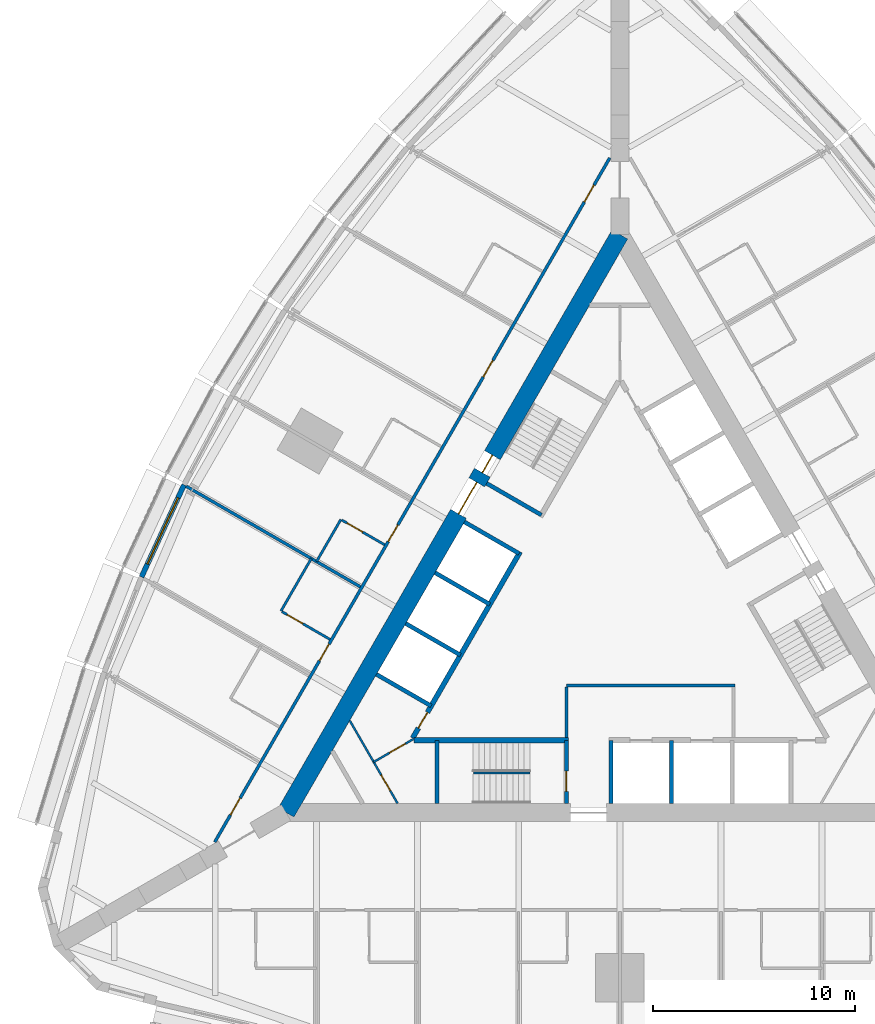
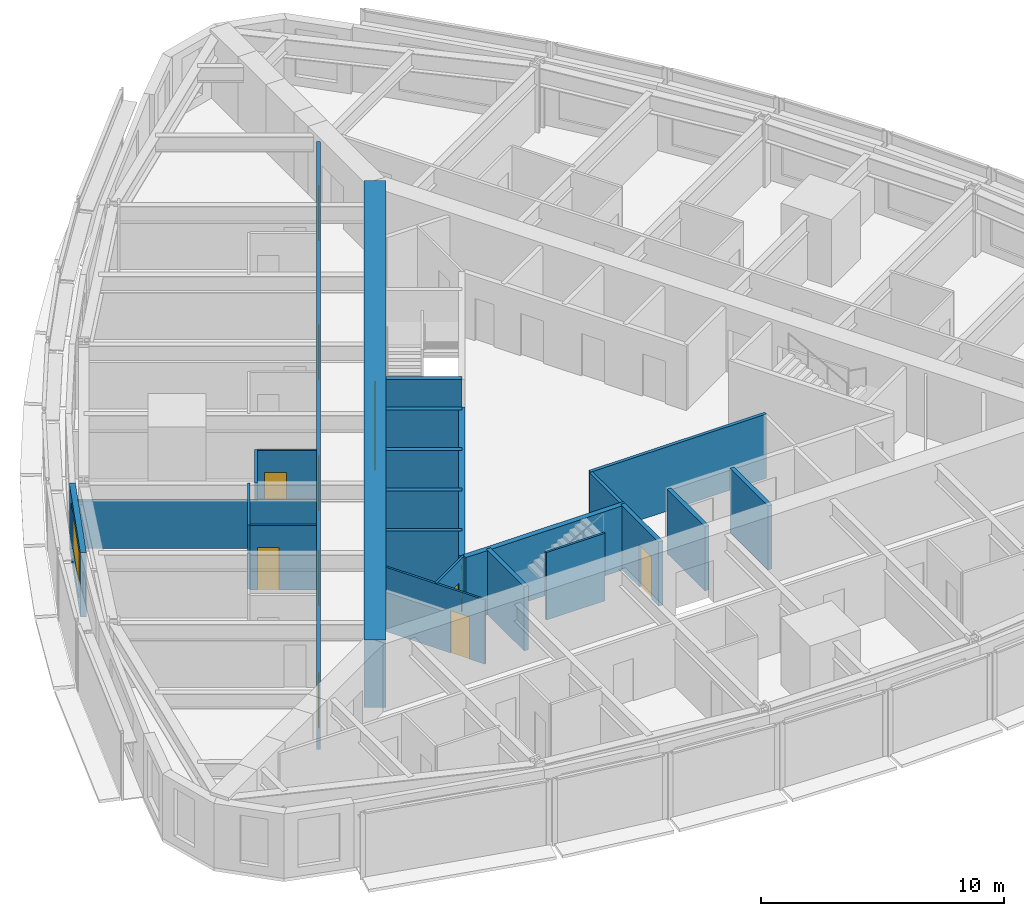
# One storey, part 9 of 14: 24 walls, 13 doors, 1 window, 14 openings.
"""IFC4 building model written with IfcOpenShell, lengths in metres."""

from ifc_helpers import new_model, si_unit, direction, frame, frame_2d, origin, place, context, subcontext, project, spatial, rectangle, extrude, material, layer, layer_set, type_object, element, fill, save


model = new_model("IFC4")

# Units and contexts
model_context = context("Model", 3, precision=1e-05, world=origin(), true_north=direction((0.0, 1.0)))
body_context = subcontext(model_context, "Body", "Model", "MODEL_VIEW")
ifc_project = project(units=[si_unit("LENGTHUNIT", "METRE"), si_unit("AREAUNIT", "SQUARE_METRE"), si_unit("VOLUMEUNIT", "CUBIC_METRE"), si_unit("PLANEANGLEUNIT", "RADIAN"), si_unit("MASSUNIT", "GRAM", prefix="KILO")], contexts=[model_context])

# Site, building, storey
site_placement = place(None, origin())
site = spatial("IfcSite", under=ifc_project, at=site_placement, CompositionType="ELEMENT")
building_placement = place(site_placement, origin())
building = spatial("IfcBuilding", under=site, at=building_placement, Name="Trikona Tower", CompositionType="ELEMENT")
storey_placement = place(building_placement, frame((0.0, 0.0, 72.699951171875)))
storey = spatial("IfcBuildingStorey", under=building, at=storey_placement, Name="L18", CompositionType="ELEMENT", Elevation=72.699951171875)

# Wall
ifc_material_1 = material(Name="Metal stud and cement board", Category="gypsum")
ifc_layer_1 = layer(ifc_material_1, 0.1201171875)
ifc_layer_set_1 = layer_set([ifc_layer_1], Name="Bathroom wall 120")
wall_type_1 = type_object("IfcWallType", Name="Bathroom wall 120", PredefinedType="PLUMBINGWALL", material=ifc_layer_set_1)
wall_1_placement = place(storey_placement, frame((-13.79345703125, 4.96142578125, 0.0), z_axis=(0.0, 0.0, 1.0), x_axis=(-0.500001309137, -0.866024647952, 0.0)))
element("IfcWall", 1, at=wall_1_placement, inside=storey, type_object=wall_type_1, Name="Bathroom wall 1814", PredefinedType="PLUMBINGWALL", context=body_context, shape_type="SweptSolid", body=[
    extrude(rectangle(XDim=2.39990234375, YDim=0.1201171875, at=frame_2d((1.199951171875, 0.0))), origin(), (0.0, 0.0, 1.0), 3.235107421875),
])

# Wall, opening, door
wall_2_placement = place(storey_placement, frame((-11.62841796875, 3.71142578125, 0.0), z_axis=(0.0, 0.0, 1.0), x_axis=(-0.866048967903, 0.499959183527, 0.0)))
wall_2 = element("IfcWall", 2, at=wall_2_placement, inside=storey, type_object=wall_type_1, Name="Bathroom wall 1814", PredefinedType="PLUMBINGWALL", context=body_context, shape_type="SweptSolid", body=[
    extrude(rectangle(XDim=2.440185546875, YDim=0.1201171875, at=frame_2d((1.22021484375, 0.0))), origin(), (0.0, 0.0, 1.0), 3.235107421875),
])
opening_1_placement = place(wall_2_placement, frame((1.25, 0.0, 0.0)))
opening_1 = element("IfcOpeningElement", 3, at=opening_1_placement, cuts=wall_2, Name="Opening D2", PredefinedType="OPENING", context=body_context, shape_type="SweptSolid", body=[
    extrude(rectangle(XDim=0.89990234375, YDim=2.1298828125, at=frame_2d((0.449951171875, 1.06494140625))), frame((0.0, 0.070068359375, 0.0), z_axis=(0.0, -1.0, 0.0), x_axis=(1.0, 0.0, 0.0)), (0.0, 0.0, 1.0), 0.14013671875),
])
ifc_material_2 = material(Name="Steel door frame with solid-core timber leaf", Category="steel")
door_type_1 = type_object("IfcDoorType", Name="Bathroom door 900x2130", OperationType="SLIDING_TO_LEFT", PredefinedType="DOOR", material=ifc_material_2)
door_1_placement = place(opening_1_placement, origin())
door_1 = element("IfcDoor", 4, at=door_1_placement, inside=storey, type_object=door_type_1, Name="Bathroom door 1814", OperationType="SLIDING_TO_LEFT", OverallHeight=2.1298828125, OverallWidth=0.89990234375, PredefinedType="DOOR", context=body_context, shape_type="SweptSolid", body=[
    extrude(rectangle(XDim=0.89990234375, YDim=2.1298828125, at=frame_2d((0.449951171875, 1.06494140625))), frame((0.0, 0.02490234375, 0.0), z_axis=(0.0, -1.0, 0.0), x_axis=(1.0, 0.0, 0.0)), (0.0, 0.0, 1.0), 0.050048828125),
])
fill(opening_1, door_1)

# Wall
wall_3_placement = place(storey_placement, frame((-15.25341796875, 3.032958984375, 0.0), z_axis=(0.0, 0.0, 1.0), x_axis=(-0.499990139034, -0.866031096941, 0.0)))
element("IfcWall", 5, at=wall_3_placement, inside=storey, type_object=wall_type_1, Name="Bathroom wall 1815", PredefinedType="PLUMBINGWALL", context=body_context, shape_type="SweptSolid", body=[
    extrude(rectangle(XDim=3.0, YDim=0.1201171875, at=frame_2d((1.5, 0.0))), origin(), (0.0, 0.0, 1.0), 3.235107421875),
])

# Wall, opening, door
wall_4_placement = place(storey_placement, frame((-14.32861328125, -0.965087890625, 0.0), z_axis=(0.0, 0.0, 1.0), x_axis=(-0.866035715982, 0.499982138324, 0.0)))
wall_4 = element("IfcWall", 6, at=wall_4_placement, inside=storey, type_object=wall_type_1, Name="Bathroom wall 1815", PredefinedType="PLUMBINGWALL", context=body_context, shape_type="SweptSolid", body=[
    extrude(rectangle(XDim=2.73974609375, YDim=0.1201171875, at=frame_2d((1.369873046875, 0.0))), origin(), (0.0, 0.0, 1.0), 3.235107421875),
])
opening_2_placement = place(wall_4_placement, frame((1.550048828125, 0.0, 0.0)))
opening_2 = element("IfcOpeningElement", 7, at=opening_2_placement, cuts=wall_4, Name="Opening D2", PredefinedType="OPENING", context=body_context, shape_type="SweptSolid", body=[
    extrude(rectangle(XDim=0.89990234375, YDim=2.1298828125, at=frame_2d((0.449951171875, 1.06494140625))), frame((0.0, 0.070068359375, 0.0), z_axis=(0.0, -1.0, 0.0), x_axis=(1.0, 0.0, 0.0)), (0.0, 0.0, 1.0), 0.14013671875),
])
door_2_placement = place(opening_2_placement, origin())
door_2 = element("IfcDoor", 8, at=door_2_placement, inside=storey, type_object=door_type_1, Name="Bathroom door 1815", OperationType="SLIDING_TO_LEFT", OverallHeight=2.1298828125, OverallWidth=0.89990234375, PredefinedType="DOOR", context=body_context, shape_type="SweptSolid", body=[
    extrude(rectangle(XDim=0.89990234375, YDim=2.1298828125, at=frame_2d((0.449951171875, 1.06494140625))), frame((0.0, 0.02490234375, 0.0), z_axis=(0.0, -1.0, 0.0), x_axis=(1.0, 0.0, 0.0)), (0.0, 0.0, 1.0), 0.050048828125),
])
fill(opening_2, door_2)

# Wall, openings, doors
ifc_material_3 = material(Name="Concrete f'c 10000 psi", Category="concrete")
ifc_layer_2 = layer(ifc_material_3, 0.89990234375)
ifc_layer_set_2 = layer_set([ifc_layer_2], Name="Core wall 900")
wall_type_2 = type_object("IfcWallType", Name="Core wall 900", PredefinedType="SHEAR", material=ifc_layer_set_2)
wall_5_placement = place(storey_placement, frame((0.0, 19.052490234375, 0.0), z_axis=(0.0, 0.0, 1.0), x_axis=(-0.499999749417, -0.866025548458, 0.0)))
wall_5 = element("IfcWall", 9, at=wall_5_placement, inside=storey, type_object=wall_type_2, Name="Core wall C", PredefinedType="SHEAR", context=body_context, shape_type="SweptSolid", body=[
    extrude(rectangle(XDim=33.0, YDim=0.89990234375, at=frame_2d((16.5, 0.0))), origin(), (0.0, 0.0, 1.0), 3.400146484375),
])
opening_3_placement = place(wall_5_placement, frame((14.14990234375, 0.0, 0.0)))
opening_3 = element("IfcOpeningElement", 10, at=opening_3_placement, cuts=wall_5, Name="Opening D6", PredefinedType="OPENING", context=body_context, shape_type="SweptSolid", body=[
    extrude(rectangle(XDim=1.800048828125, YDim=2.1298828125, at=frame_2d((0.89990234375, 1.06494140625))), frame((0.0, 0.4599609375, 0.0), z_axis=(0.0, -1.0, 0.0), x_axis=(1.0, 0.0, 0.0)), (0.0, 0.0, 1.0), 0.919921875),
])
opening_4_placement = place(wall_5_placement, frame((12.60009765625, 0.0, 0.0)))
opening_4 = element("IfcOpeningElement", 11, at=opening_4_placement, cuts=wall_5, Name="Opening D5", PredefinedType="OPENING", context=body_context, shape_type="SweptSolid", body=[
    extrude(rectangle(XDim=1.0, YDim=2.1298828125, at=frame_2d((0.5, 1.06494140625))), frame((0.0, 0.4599609375, 0.0), z_axis=(0.0, -1.0, 0.0), x_axis=(1.0, 0.0, 0.0)), (0.0, 0.0, 1.0), 0.919921875),
])
ifc_material_4 = material(Name="Hollow metal door and frame", Category="steel")
door_type_2 = type_object("IfcDoorType", Name="Lobby door pair 1800x2130", OperationType="DOUBLE_DOOR_SINGLE_SWING", PredefinedType="DOOR", material=ifc_material_4)
door_3_placement = place(opening_3_placement, origin())
door_3 = element("IfcDoor", 12, at=door_3_placement, inside=storey, type_object=door_type_2, Name="Lift lobby door C", OperationType="DOUBLE_DOOR_SINGLE_SWING", OverallHeight=2.1298828125, OverallWidth=1.800048828125, PredefinedType="DOOR", context=body_context, shape_type="SweptSolid", body=[
    extrude(rectangle(XDim=1.800048828125, YDim=2.1298828125, at=frame_2d((0.89990234375, 1.06494140625))), frame((0.0, 0.02490234375, 0.0), z_axis=(0.0, -1.0, 0.0), x_axis=(1.0, 0.0, 0.0)), (0.0, 0.0, 1.0), 0.050048828125),
])
fill(opening_3, door_3)
ifc_material_5 = material(Name="Hollow metal door and frame", Category="steel")
door_type_3 = type_object("IfcDoorType", Name="Stair door 1000x2130", OperationType="SINGLE_SWING_LEFT", PredefinedType="DOOR", material=ifc_material_5)
door_4_placement = place(opening_4_placement, origin())
door_4 = element("IfcDoor", 13, at=door_4_placement, inside=storey, type_object=door_type_3, Name="Stair C door", OperationType="SINGLE_SWING_RIGHT", OverallHeight=2.1298828125, OverallWidth=1.0, PredefinedType="DOOR", context=body_context, shape_type="SweptSolid", body=[
    extrude(rectangle(XDim=1.0, YDim=2.1298828125, at=frame_2d((0.5, 1.06494140625))), frame((0.0, 0.02490234375, 0.0), z_axis=(0.0, -1.0, 0.0), x_axis=(1.0, 0.0, 0.0)), (0.0, 0.0, 1.0), 0.050048828125),
])
fill(opening_4, door_4)

ifc_material_6 = material(Name="Metal stud and gypsum board, 1-hour", Category="gypsum")
ifc_layer_3 = layer(ifc_material_6, 0.14990234375)
ifc_layer_set_3 = layer_set([ifc_layer_3], Name="Corridor wall 150")
wall_type_3 = type_object("IfcWallType", Name="Corridor wall 150", PredefinedType="PARTITIONING", material=ifc_layer_set_3)
wall_6_placement = place(storey_placement, frame((-0.5, 22.83642578125, 0.0), z_axis=(0.0, 0.0, 1.0), x_axis=(-0.500001677587, -0.866024435227, 0.0)))
wall_6 = element("IfcWall", 14, at=wall_6_placement, inside=storey, type_object=wall_type_3, Name="Corridor wall L18-3", PredefinedType="PARTITIONING", context=body_context, shape_type="SweptSolid", body=[
    extrude(rectangle(XDim=39.053955078125, YDim=0.14990234375, at=frame_2d((19.52685546875, 0.0))), origin(), (0.0, 0.0, 1.0), 3.235107421875),
])
opening_5_placement = place(wall_6_placement, frame((1.558349609375, 0.0, 0.0)))
opening_5 = element("IfcOpeningElement", 15, at=opening_5_placement, cuts=wall_6, Name="Opening D1", PredefinedType="OPENING", context=body_context, shape_type="SweptSolid", body=[
    extrude(rectangle(XDim=0.949951171875, YDim=2.1298828125, at=frame_2d((0.47509765625, 1.06494140625))), frame((0.0, 0.0849609375, 0.0), z_axis=(0.0, -1.0, 0.0), x_axis=(1.0, 0.0, 0.0)), (0.0, 0.0, 1.0), 0.169921875),
])
opening_6_placement = place(wall_6_placement, frame((11.552001953125, 0.0, 0.0)))
opening_6 = element("IfcOpeningElement", 16, at=opening_6_placement, cuts=wall_6, Name="Opening D1", PredefinedType="OPENING", context=body_context, shape_type="SweptSolid", body=[
    extrude(rectangle(XDim=0.949951171875, YDim=2.1298828125, at=frame_2d((0.47509765625, 1.06494140625))), frame((0.0, 0.0849609375, 0.0), z_axis=(0.0, -1.0, 0.0), x_axis=(1.0, 0.0, 0.0)), (0.0, 0.0, 1.0), 0.169921875),
])
opening_7_placement = place(wall_6_placement, frame((20.951904296875, 0.0, 0.0)))
opening_7 = element("IfcOpeningElement", 17, at=opening_7_placement, cuts=wall_6, Name="Opening D1", PredefinedType="OPENING", context=body_context, shape_type="SweptSolid", body=[
    extrude(rectangle(XDim=0.949951171875, YDim=2.1298828125, at=frame_2d((0.47509765625, 1.06494140625))), frame((0.0, 0.0849609375, 0.0), z_axis=(0.0, -1.0, 0.0), x_axis=(1.0, 0.0, 0.0)), (0.0, 0.0, 1.0), 0.169921875),
])
opening_8_placement = place(wall_6_placement, frame((27.751953125, 0.0, 0.0)))
opening_8 = element("IfcOpeningElement", 18, at=opening_8_placement, cuts=wall_6, Name="Opening D1", PredefinedType="OPENING", context=body_context, shape_type="SweptSolid", body=[
    extrude(rectangle(XDim=0.949951171875, YDim=2.1298828125, at=frame_2d((0.47509765625, 1.06494140625))), frame((0.0, 0.0849609375, 0.0), z_axis=(0.0, -1.0, 0.0), x_axis=(1.0, 0.0, 0.0)), (0.0, 0.0, 1.0), 0.169921875),
])
opening_9_placement = place(wall_6_placement, frame((36.545654296875, 0.0, 0.0)))
opening_9 = element("IfcOpeningElement", 19, at=opening_9_placement, cuts=wall_6, Name="Opening D1", PredefinedType="OPENING", context=body_context, shape_type="SweptSolid", body=[
    extrude(rectangle(XDim=0.949951171875, YDim=2.1298828125, at=frame_2d((0.47509765625, 1.06494140625))), frame((0.0, 0.0849609375, 0.0), z_axis=(0.0, -1.0, 0.0), x_axis=(1.0, 0.0, 0.0)), (0.0, 0.0, 1.0), 0.169921875),
])
ifc_material_7 = material(Name="Steel door frame with solid-core timber leaf", Category="steel")
door_type_4 = type_object("IfcDoorType", Name="Guest room door 950x2130", OperationType="SINGLE_SWING_LEFT", PredefinedType="DOOR", material=ifc_material_7)
door_5_placement = place(opening_5_placement, origin())
door_5 = element("IfcDoor", 20, at=door_5_placement, inside=storey, type_object=door_type_4, Name="Room door 1812", OperationType="SINGLE_SWING_LEFT", OverallHeight=2.1298828125, OverallWidth=0.949951171875, PredefinedType="DOOR", context=body_context, shape_type="SweptSolid", body=[
    extrude(rectangle(XDim=0.949951171875, YDim=2.1298828125, at=frame_2d((0.47509765625, 1.06494140625))), frame((0.0, 0.02490234375, 0.0), z_axis=(0.0, -1.0, 0.0), x_axis=(1.0, 0.0, 0.0)), (0.0, 0.0, 1.0), 0.050048828125),
])
fill(opening_5, door_5)
door_6_placement = place(opening_6_placement, origin())
door_6 = element("IfcDoor", 21, at=door_6_placement, inside=storey, type_object=door_type_4, Name="Room door 1813", OperationType="SINGLE_SWING_RIGHT", OverallHeight=2.1298828125, OverallWidth=0.949951171875, PredefinedType="DOOR", context=body_context, shape_type="SweptSolid", body=[
    extrude(rectangle(XDim=0.949951171875, YDim=2.1298828125, at=frame_2d((0.47509765625, 1.06494140625))), frame((0.0, 0.02490234375, 0.0), z_axis=(0.0, -1.0, 0.0), x_axis=(1.0, 0.0, 0.0)), (0.0, 0.0, 1.0), 0.050048828125),
])
fill(opening_6, door_6)
door_7_placement = place(opening_7_placement, origin())
door_7 = element("IfcDoor", 22, at=door_7_placement, inside=storey, type_object=door_type_4, Name="Room door 1814", OperationType="SINGLE_SWING_LEFT", OverallHeight=2.1298828125, OverallWidth=0.949951171875, PredefinedType="DOOR", context=body_context, shape_type="SweptSolid", body=[
    extrude(rectangle(XDim=0.949951171875, YDim=2.1298828125, at=frame_2d((0.47509765625, 1.06494140625))), frame((0.0, 0.02490234375, 0.0), z_axis=(0.0, -1.0, 0.0), x_axis=(1.0, 0.0, 0.0)), (0.0, 0.0, 1.0), 0.050048828125),
])
fill(opening_7, door_7)
door_8_placement = place(opening_8_placement, origin())
door_8 = element("IfcDoor", 23, at=door_8_placement, inside=storey, type_object=door_type_4, Name="Room door 1815", OperationType="SINGLE_SWING_RIGHT", OverallHeight=2.1298828125, OverallWidth=0.949951171875, PredefinedType="DOOR", context=body_context, shape_type="SweptSolid", body=[
    extrude(rectangle(XDim=0.949951171875, YDim=2.1298828125, at=frame_2d((0.47509765625, 1.06494140625))), frame((0.0, 0.02490234375, 0.0), z_axis=(0.0, -1.0, 0.0), x_axis=(1.0, 0.0, 0.0)), (0.0, 0.0, 1.0), 0.050048828125),
])
fill(opening_8, door_8)
door_9_placement = place(opening_9_placement, origin())
door_9 = element("IfcDoor", 24, at=door_9_placement, inside=storey, type_object=door_type_4, Name="Room door 1816", OperationType="SINGLE_SWING_RIGHT", OverallHeight=2.1298828125, OverallWidth=0.949951171875, PredefinedType="DOOR", context=body_context, shape_type="SweptSolid", body=[
    extrude(rectangle(XDim=0.949951171875, YDim=2.1298828125, at=frame_2d((0.47509765625, 1.06494140625))), frame((0.0, 0.02490234375, 0.0), z_axis=(0.0, -1.0, 0.0), x_axis=(1.0, 0.0, 0.0)), (0.0, 0.0, 1.0), 0.050048828125),
])
fill(opening_9, door_9)

# Wall
ifc_material_8 = material(Name="Concrete f'c 8000 psi", Category="concrete")
ifc_layer_4 = layer(ifc_material_8, 0.25)
ifc_layer_set_4 = layer_set([ifc_layer_4], Name="Hub wall 250")
wall_type_4 = type_object("IfcWallType", Name="Hub wall 250", PredefinedType="SOLIDWALL", material=ifc_layer_set_4)
wall_7_placement = place(storey_placement, frame((-10.182861328125, -5.951416015625, 0.0), z_axis=(0.0, 0.0, 1.0), x_axis=(1.0, 0.0, 0.0)))
element("IfcWall", 25, at=wall_7_placement, inside=storey, type_object=wall_type_4, Name="Lift lobby wall A1", PredefinedType="SOLIDWALL", context=body_context, shape_type="SweptSolid", body=[
    extrude(rectangle(XDim=7.6328125, YDim=0.25, at=frame_2d((3.81640625, 0.0))), origin(), (0.0, 0.0, 1.0), 3.235107421875),
])

# Wall, opening, door
wall_8_placement = place(storey_placement, frame((-4.928955078125, 3.365478515625, 0.0), z_axis=(0.0, 0.0, 1.0), x_axis=(-0.499991433582, -0.866030349552, 0.0)))
wall_8 = element("IfcWall", 26, at=wall_8_placement, inside=storey, type_object=wall_type_4, Name="Lift lobby wall C2", PredefinedType="SOLIDWALL", context=body_context, shape_type="SweptSolid", body=[
    extrude(rectangle(XDim=10.633056640625, YDim=0.25, at=frame_2d((5.31640625, 0.0))), origin(), (0.0, 0.0, 1.0), 3.235107421875),
])
opening_10_placement = place(wall_8_placement, frame((9.1640625, 0.0, 0.0)))
opening_10 = element("IfcOpeningElement", 27, at=opening_10_placement, cuts=wall_8, Name="Opening D14", PredefinedType="OPENING", context=body_context, shape_type="SweptSolid", body=[
    extrude(rectangle(XDim=0.89990234375, YDim=2.1298828125, at=frame_2d((0.449951171875, 1.06494140625))), frame((0.0, 0.135009765625, 0.0), z_axis=(0.0, -1.0, 0.0), x_axis=(1.0, 0.0, 0.0)), (0.0, 0.0, 1.0), 0.27001953125),
])
ifc_material_9 = material(Name="Hollow metal door and frame", Category="steel")
door_type_5 = type_object("IfcDoorType", Name="Service room door 900x2130", OperationType="SINGLE_SWING_LEFT", PredefinedType="DOOR", material=ifc_material_9)
door_10_placement = place(opening_10_placement, origin())
door_10 = element("IfcDoor", 28, at=door_10_placement, inside=storey, type_object=door_type_5, Name="Door Linen store LIN", OperationType="SINGLE_SWING_RIGHT", OverallHeight=2.1298828125, OverallWidth=0.89990234375, PredefinedType="DOOR", context=body_context, shape_type="SweptSolid", body=[
    extrude(rectangle(XDim=0.89990234375, YDim=2.1298828125, at=frame_2d((0.449951171875, 1.06494140625))), frame((0.0, 0.02490234375, 0.0), z_axis=(0.0, -1.0, 0.0), x_axis=(1.0, 0.0, 0.0)), (0.0, 0.0, 1.0), 0.050048828125),
])
fill(opening_10, door_10)

# Wall, opening, window
ifc_material_10 = material(Name="Insulated precast concrete spandrel panel", Category="concrete")
ifc_layer_5 = layer(ifc_material_10, 0.25)
ifc_layer_set_5 = layer_set([ifc_layer_5], Name="Inner skin wall 250")
wall_type_5 = type_object("IfcWallType", Name="Inner skin wall 250", PredefinedType="STANDARD", material=ifc_layer_set_5)
wall_9_placement = place(storey_placement, frame((-21.543212890625, 6.677734375, 0.0), z_axis=(0.0, 0.0, 1.0), x_axis=(-0.419203100754, -0.907892482796, 0.0)))
wall_9 = element("IfcWall", 29, at=wall_9_placement, inside=storey, type_object=wall_type_5, Name="External wall L18-29", PredefinedType="STANDARD", context=body_context, shape_type="SweptSolid", body=[
    extrude(rectangle(XDim=5.020751953125, YDim=0.25, at=frame_2d((2.51025390625, 0.0))), origin(), (0.0, 0.0, 1.0), 3.235107421875),
])
opening_11_placement = place(wall_9_placement, frame((0.71044921875, 0.0, 0.449951171875)))
opening_11 = element("IfcOpeningElement", 30, at=opening_11_placement, cuts=wall_9, Name="Opening W3624", PredefinedType="OPENING", context=body_context, shape_type="SweptSolid", body=[
    extrude(rectangle(XDim=3.60009765625, YDim=2.39990234375, at=frame_2d((1.800048828125, 1.199951171875))), frame((0.0, 0.135009765625, 0.0), z_axis=(0.0, -1.0, 0.0), x_axis=(1.0, 0.0, 0.0)), (0.0, 0.0, 1.0), 0.27001953125),
])
ifc_material_11 = material(Name="Aluminium-framed double glazing", Category="aluminium")
window_type = type_object("IfcWindowType", Name="Window 3600x2400", PartitioningType="SINGLE_PANEL", PredefinedType="WINDOW", material=ifc_material_11)
window_placement = place(opening_11_placement, origin())
window = element("IfcWindow", 31, at=window_placement, inside=storey, type_object=window_type, Name="Window 1815", OverallHeight=2.39990234375, OverallWidth=3.60009765625, PartitioningType="SINGLE_PANEL", PredefinedType="WINDOW", context=body_context, shape_type="SweptSolid", body=[
    extrude(rectangle(XDim=3.60009765625, YDim=2.39990234375, at=frame_2d((1.800048828125, 1.199951171875))), frame((0.0, 0.030029296875, 0.0), z_axis=(0.0, -1.0, 0.0), x_axis=(1.0, 0.0, 0.0)), (0.0, 0.0, 1.0), 0.06005859375),
])
fill(opening_11, window)

# Walls
ifc_material_12 = material(Name="Metal stud and gypsum board, 2-hour shaft wall", Category="gypsum")
ifc_layer_6 = layer(ifc_material_12, 0.14990234375)
ifc_layer_set_6 = layer_set([ifc_layer_6], Name="Lobby wall 150")
wall_type_6 = type_object("IfcWallType", Name="Lobby wall 150", PredefinedType="PARTITIONING", material=ifc_layer_set_6)
wall_10_placement = place(storey_placement, frame((-2.64990234375, -3.251220703125, 0.0), z_axis=(0.0, 0.0, 1.0), x_axis=(1.0, 0.0, 0.0)))
element("IfcWall", 32, at=wall_10_placement, inside=storey, type_object=wall_type_6, Name="Fire service lift lobby wall 1", PredefinedType="PARTITIONING", context=body_context, shape_type="SweptSolid", body=[
    extrude(rectangle(XDim=8.349853515625, YDim=0.14990234375, at=frame_2d((4.1748046875, 0.0))), origin(), (0.0, 0.0, 1.0), 3.235107421875),
])
wall_11_placement = place(storey_placement, frame((-2.64990234375, -5.826416015625, 0.0), z_axis=(0.0, 0.0, 1.0), x_axis=(0.0, 1.0, 0.0)))
element("IfcWall", 33, at=wall_11_placement, inside=storey, type_object=wall_type_6, Name="Fire service lift lobby wall 2", PredefinedType="PARTITIONING", context=body_context, shape_type="SweptSolid", body=[
    extrude(rectangle(XDim=2.5, YDim=0.14990234375, at=frame_2d((1.25, 0.0))), origin(), (0.0, 0.0, 1.0), 3.235107421875),
])
ifc_material_13 = material(Name="Metal stud and gypsum board, 1-hour acoustic", Category="gypsum")
ifc_layer_7 = layer(ifc_material_13, 0.14990234375)
ifc_layer_set_7 = layer_set([ifc_layer_7], Name="Party wall 150")
wall_type_7 = type_object("IfcWallType", Name="Party wall 150", PredefinedType="PARTITIONING", material=ifc_layer_set_7)
wall_12_placement = place(storey_placement, frame((-12.82861328125, 1.633056640625, 0.0), z_axis=(0.0, 0.0, 1.0), x_axis=(-0.866026934769, 0.499997348248, 0.0)))
element("IfcWall", 34, at=wall_12_placement, inside=storey, type_object=wall_type_7, Name="Partition L18 F3 u5", PredefinedType="PARTITIONING", context=body_context, shape_type="SweptSolid", body=[
    extrude(rectangle(XDim=9.94287109375, YDim=0.14990234375, at=frame_2d((4.971435546875, 0.0))), origin(), (0.0, 0.0, 1.0), 2.38916015625),
])
ifc_material_14 = material(Name="Concrete f'c 8000 psi", Category="concrete")
ifc_layer_8 = layer(ifc_material_14, 0.199951171875)
ifc_layer_set_8 = layer_set([ifc_layer_8], Name="Shaft wall 200")
wall_type_8 = type_object("IfcWallType", Name="Shaft wall 200", PredefinedType="SOLIDWALL", material=ifc_layer_set_8)
for number, where, z_axis, x_axis, name in (
    (35, (-0.449951171875, -5.951416015625, 0.0), (0.0, 0.0, 1.0), (0.0, -1.0, 0.0), "Shaft wall A3"),
    (36, (2.550048828125, -5.951416015625, 0.0), (0.0, 0.0, 1.0), (0.0, -1.0, 0.0), "Shaft wall A4"),
    (37, (-4.97900390625, 3.27880859375, 0.0), (0.0, 0.0, 1.0), (-0.866022959057, 0.500004234368, 0.0), "Shaft wall C3"),
    (38, (-6.428955078125, 0.767333984375, 0.0), (0.0, 0.0, 1.0), (-0.866022959057, 0.500004234368, 0.0), "Shaft wall C4"),
    (39, (-7.87890625, -1.744140625, 0.0), (0.0, 0.0, 1.0), (-0.866022959057, 0.500004234368, 0.0), "Shaft wall C5"),
    (40, (-9.3291015625, -4.255615234375, 0.0), (0.0, 0.0, 1.0), (-0.866022959057, 0.500004234368, 0.0), "Shaft wall C6"),
):
    element("IfcWall", number, at=place(storey_placement, frame(where, z_axis=z_axis, x_axis=x_axis)), inside=storey, type_object=wall_type_8, Name=name, PredefinedType="SOLIDWALL", context=body_context, shape_type="SweptSolid", body=[
        extrude(rectangle(XDim=3.125, YDim=0.199951171875, at=frame_2d((1.5625, 0.0))), origin(), (0.0, 0.0, 1.0), 3.235107421875),
    ])
ifc_material_15 = material(Name="Concrete f'c 8000 psi", Category="concrete")
ifc_layer_9 = layer(ifc_material_15, 0.199951171875)
ifc_layer_set_9 = layer_set([ifc_layer_9], Name="Shaft wall 200 load-bearing")
wall_type_9 = type_object("IfcWallType", Name="Shaft wall 200 load-bearing", PredefinedType="SOLIDWALL", material=ifc_layer_set_9)
wall_13_placement = place(storey_placement, frame((-9.050048828125, -5.951416015625, 0.0), z_axis=(0.0, 0.0, 1.0), x_axis=(0.0, -1.0, 0.0)))
element("IfcWall", 41, at=wall_13_placement, inside=storey, type_object=wall_type_9, Name="Shaft wall A1", PredefinedType="SOLIDWALL", context=body_context, shape_type="SweptSolid", body=[
    extrude(rectangle(XDim=3.125, YDim=0.199951171875, at=frame_2d((1.5625, 0.0))), origin(), (0.0, 0.0, 1.0), 3.235107421875),
])

# Wall, opening, door
wall_14_placement = place(storey_placement, frame((-2.64990234375, -5.951416015625, 0.0), z_axis=(0.0, 0.0, 1.0), x_axis=(0.0, -1.0, 0.0)))
wall_14 = element("IfcWall", 42, at=wall_14_placement, inside=storey, type_object=wall_type_9, Name="Shaft wall A2", PredefinedType="SOLIDWALL", context=body_context, shape_type="SweptSolid", body=[
    extrude(rectangle(XDim=3.125, YDim=0.199951171875, at=frame_2d((1.5625, 0.0))), origin(), (0.0, 0.0, 1.0), 3.235107421875),
])
opening_12_placement = place(wall_14_placement, frame((1.52490234375, 0.0, 0.0)))
opening_12 = element("IfcOpeningElement", 43, at=opening_12_placement, cuts=wall_14, Name="Opening D5", PredefinedType="OPENING", context=body_context, shape_type="SweptSolid", body=[
    extrude(rectangle(XDim=1.0, YDim=2.1298828125, at=frame_2d((0.5, 1.06494140625))), frame((0.0, 0.10986328125, 0.0), z_axis=(0.0, -1.0, 0.0), x_axis=(1.0, 0.0, 0.0)), (0.0, 0.0, 1.0), 0.219970703125),
])
door_11_placement = place(opening_12_placement, origin())
door_11 = element("IfcDoor", 44, at=door_11_placement, inside=storey, type_object=door_type_3, Name="Stair A door", OperationType="SINGLE_SWING_RIGHT", OverallHeight=2.1298828125, OverallWidth=1.0, PredefinedType="DOOR", context=body_context, shape_type="SweptSolid", body=[
    extrude(rectangle(XDim=1.0, YDim=2.1298828125, at=frame_2d((0.5, 1.06494140625))), frame((0.0, 0.02490234375, 0.0), z_axis=(0.0, -1.0, 0.0), x_axis=(1.0, 0.0, 0.0)), (0.0, 0.0, 1.0), 0.050048828125),
])
fill(opening_12, door_11)

# Walls
wall_15_placement = place(storey_placement, frame((-3.87890625, 5.18408203125, 0.0), z_axis=(0.0, 0.0, 1.0), x_axis=(-0.866022959057, 0.500004234368, 0.0)))
element("IfcWall", 45, at=wall_15_placement, inside=storey, type_object=wall_type_9, Name="Shaft wall C2", PredefinedType="SOLIDWALL", context=body_context, shape_type="SweptSolid", body=[
    extrude(rectangle(XDim=3.125, YDim=0.199951171875, at=frame_2d((1.5625, 0.0))), origin(), (0.0, 0.0, 1.0), 3.235107421875),
])
ifc_material_16 = material(Name="Concrete f'c 5000 psi", Category="concrete")
ifc_layer_10 = layer(ifc_material_16, 0.10009765625)
ifc_layer_set_10 = layer_set([ifc_layer_10], Name="Stair spine wall 100")
wall_type_10 = type_object("IfcWallType", Name="Stair spine wall 100", PredefinedType="SOLIDWALL", material=ifc_layer_set_10)
wall_16_placement = place(storey_placement, frame((-7.2470703125, -7.576416015625, 0.0), z_axis=(0.0, 0.0, 1.0), x_axis=(1.0, 0.0, 0.0)))
element("IfcWall", 46, at=wall_16_placement, inside=storey, type_object=wall_type_10, Name="Stair A spine wall L18", PredefinedType="SOLIDWALL", context=body_context, shape_type="SweptSolid", body=[
    extrude(rectangle(XDim=2.794189453125, YDim=0.10009765625, at=frame_2d((1.39697265625, 0.0))), origin(), (0.0, 0.0, 1.0), 3.400146484375),
])

# Wall, opening, door
ifc_material_17 = material(Name="Metal stud and gypsum board, acoustic", Category="gypsum")
ifc_layer_11 = layer(ifc_material_17, 0.10009765625)
ifc_layer_set_11 = layer_set([ifc_layer_11], Name="Suite partition 100")
wall_type_11 = type_object("IfcWallType", Name="Suite partition 100", PredefinedType="PARTITIONING", material=ifc_layer_set_11)
wall_17_placement = place(storey_placement, frame((-10.986328125, -9.076416015625, 0.0), z_axis=(0.0, 0.0, 1.0), x_axis=(-0.499999210213, 0.866025859768, 0.0)))
wall_17 = element("IfcWall", 47, at=wall_17_placement, inside=storey, type_object=wall_type_11, Name="Store partition L18-RS3", PredefinedType="PARTITIONING", context=body_context, shape_type="SweptSolid", body=[
    extrude(rectangle(XDim=4.734375, YDim=0.10009765625, at=frame_2d((2.3671875, 0.0))), origin(), (0.0, 0.0, 1.0), 3.235107421875),
])
opening_13_placement = place(wall_17_placement, frame((0.733642578125, 0.0, 0.0)))
opening_13 = element("IfcOpeningElement", 48, at=opening_13_placement, cuts=wall_17, Name="Opening D15", PredefinedType="OPENING", context=body_context, shape_type="SweptSolid", body=[
    extrude(rectangle(XDim=0.89990234375, YDim=2.1298828125, at=frame_2d((0.449951171875, 1.06494140625))), frame((0.0, 0.06005859375, 0.0), z_axis=(0.0, -1.0, 0.0), x_axis=(1.0, 0.0, 0.0)), (0.0, 0.0, 1.0), 0.1201171875),
])
ifc_material_18 = material(Name="Steel door frame with solid-core timber leaf", Category="steel")
door_type_6 = type_object("IfcDoorType", Name="Store door 900x2130", OperationType="SINGLE_SWING_LEFT", PredefinedType="DOOR", material=ifc_material_18)
door_12_placement = place(opening_13_placement, origin())
door_12 = element("IfcDoor", 49, at=door_12_placement, inside=storey, type_object=door_type_6, Name="Door Amenity store AMS", OperationType="SINGLE_SWING_LEFT", OverallHeight=2.1298828125, OverallWidth=0.89990234375, PredefinedType="DOOR", context=body_context, shape_type="SweptSolid", body=[
    extrude(rectangle(XDim=0.89990234375, YDim=2.1298828125, at=frame_2d((0.449951171875, 1.06494140625))), frame((0.0, 0.02490234375, 0.0), z_axis=(0.0, -1.0, 0.0), x_axis=(1.0, 0.0, 0.0)), (0.0, 0.0, 1.0), 0.050048828125),
])
fill(opening_13, door_12)

wall_18_placement = place(storey_placement, frame((-12.169921875, -7.0263671875, 0.0), z_axis=(0.0, 0.0, 1.0), x_axis=(0.866015833478, 0.50001657589, 0.0)))
wall_18 = element("IfcWall", 50, at=wall_18_placement, inside=storey, type_object=wall_type_11, Name="Store partition L18-RS3", PredefinedType="PARTITIONING", context=body_context, shape_type="SweptSolid", body=[
    extrude(rectangle(XDim=2.275390625, YDim=0.10009765625, at=frame_2d((1.1376953125, 0.0))), origin(), (0.0, 0.0, 1.0), 3.235107421875),
])
opening_14_placement = place(wall_18_placement, frame((0.9150390625, 0.0, 0.0)))
opening_14 = element("IfcOpeningElement", 51, at=opening_14_placement, cuts=wall_18, Name="Opening D15", PredefinedType="OPENING", context=body_context, shape_type="SweptSolid", body=[
    extrude(rectangle(XDim=0.89990234375, YDim=2.1298828125, at=frame_2d((0.449951171875, 1.06494140625))), frame((0.0, 0.06005859375, 0.0), z_axis=(0.0, -1.0, 0.0), x_axis=(1.0, 0.0, 0.0)), (0.0, 0.0, 1.0), 0.1201171875),
])
door_13_placement = place(opening_14_placement, origin())
door_13 = element("IfcDoor", 52, at=door_13_placement, inside=storey, type_object=door_type_6, Name="Door Uniform store UNF", OperationType="SINGLE_SWING_RIGHT", OverallHeight=2.1298828125, OverallWidth=0.89990234375, PredefinedType="DOOR", context=body_context, shape_type="SweptSolid", body=[
    extrude(rectangle(XDim=0.89990234375, YDim=2.1298828125, at=frame_2d((0.449951171875, 1.06494140625))), frame((0.0, 0.02490234375, 0.0), z_axis=(0.0, -1.0, 0.0), x_axis=(1.0, 0.0, 0.0)), (0.0, 0.0, 1.0), 0.050048828125),
])
fill(opening_14, door_13)

save(model, "model.ifc")
